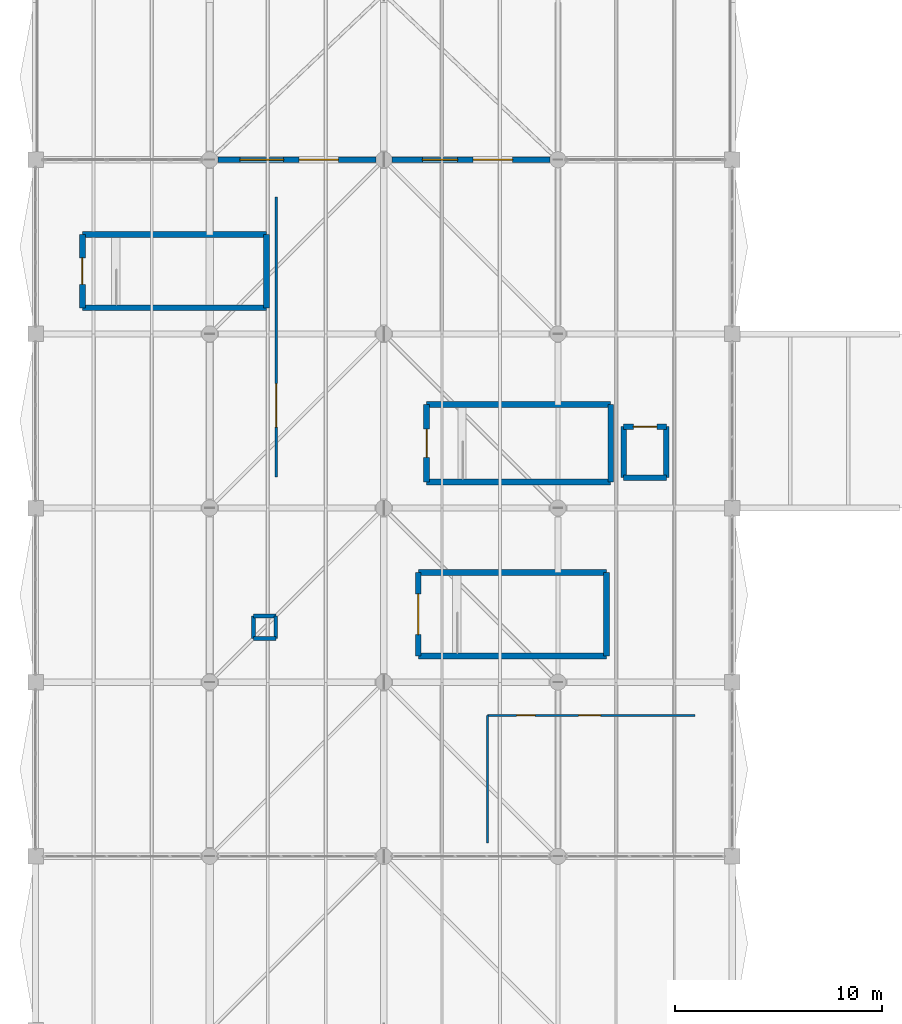
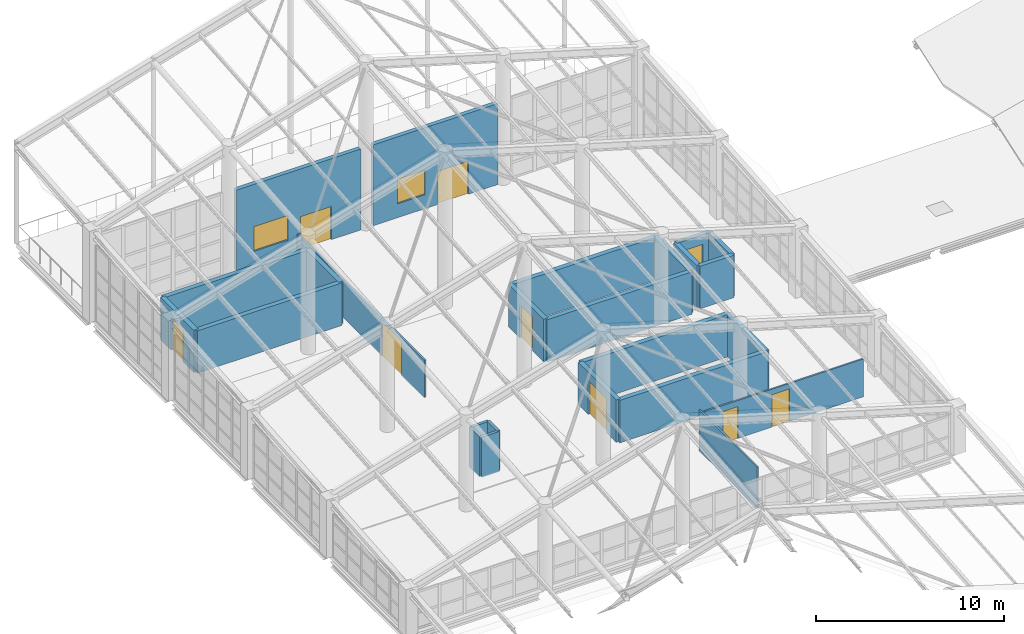
# One storey, part 82 of 95: 25 walls, 9 doors, 2 windows, 11 openings.
"""IFC4 building model written with IfcOpenShell, lengths in metres."""

from ifc_helpers import new_model, si_unit, direction, frame, frame_2d, origin, place, context, subcontext, project, spatial, rectangle, extrude, material, layer, layer_set, type_object, element, fill, save


model = new_model("IFC4")

# Units and contexts
model_context = context("Model", 3, precision=1e-05, world=origin(), true_north=direction((0.0, 1.0)))
body_context = subcontext(model_context, "Body", "Model", "MODEL_VIEW")
ifc_project = project(units=[si_unit("LENGTHUNIT", "METRE"), si_unit("AREAUNIT", "SQUARE_METRE"), si_unit("VOLUMEUNIT", "CUBIC_METRE"), si_unit("PLANEANGLEUNIT", "RADIAN"), si_unit("MASSUNIT", "GRAM", prefix="KILO"), si_unit("THERMODYNAMICTEMPERATUREUNIT", "KELVIN"), si_unit("POWERUNIT", "WATT")], contexts=[model_context])

# Site, building, storey
site_placement = place(None, origin())
site = spatial("IfcSite", under=ifc_project, at=site_placement, CompositionType="ELEMENT")
building_placement = place(site_placement, origin())
building = spatial("IfcBuilding", under=site, at=building_placement, Name="Mavoryth Pier Ferry Terminal", CompositionType="ELEMENT")
storey_placement = place(building_placement, frame((0.0, 0.0, 9.60009765625)))
storey = spatial("IfcBuildingStorey", under=building, at=storey_placement, Name="L02", CompositionType="ELEMENT", Elevation=9.60009765625)

# Walls
ifc_material_1 = material(Name="Concrete C35/45", Category="concrete")
ifc_layer_1 = layer(ifc_material_1, 0.260009765625, Name="Concrete C35/45", Category="concrete")
ifc_layer_set_1 = layer_set([ifc_layer_1], Name="Concrete C35/45 - CoreWall-LiftShaft-RC260")
wall_type_1 = type_object("IfcWallType", Name="CoreWall-LiftShaft-RC260", PredefinedType="SHEAR", material=ifc_layer_set_1)
wall_1_placement = place(storey_placement, frame((28.3701171875, 90.669921875, 0.0), z_axis=(0.0, 0.0, 1.0), x_axis=(1.0, 0.0, 0.0)))
element("IfcWall", 1, at=wall_1_placement, inside=storey, type_object=wall_type_1, Name="Interior Wall IW-L02-0045", PredefinedType="SHEAR", context=body_context, shape_type="SweptSolid", body=[
    extrude(rectangle(XDim=2.059814453125, YDim=0.260009765625, at=frame_2d((1.02978515625, 0.0))), origin(), (0.0, 0.0, 1.0), 2.75),
])
for number, where, z_axis, x_axis, name in (
    (2, (30.429931640625, 90.669921875, 0.0), (0.0, 0.0, 1.0), (0.0, 1.0, 0.0), "Interior Wall IW-L02-0046"),
    (3, (28.3701171875, 93.1298828125, 0.0), (0.0, 0.0, 1.0), (0.0, -1.0, 0.0), "Interior Wall IW-L02-0047"),
):
    element("IfcWall", number, at=place(storey_placement, frame(where, z_axis=z_axis, x_axis=x_axis)), inside=storey, type_object=wall_type_1, Name=name, PredefinedType="SHEAR", context=body_context, shape_type="SweptSolid", body=[
        extrude(rectangle(XDim=2.4599609375, YDim=0.260009765625, at=frame_2d((1.22998046875, 0.0))), origin(), (0.0, 0.0, 1.0), 2.75),
    ])

# Wall, opening, door
wall_2_placement = place(storey_placement, frame((28.3701171875, 93.1298828125, 0.0), z_axis=(0.0, 0.0, 1.0), x_axis=(1.0, 0.0, 0.0)))
wall_2 = element("IfcWall", 4, at=wall_2_placement, inside=storey, type_object=wall_type_1, Name="Interior Wall IW-L02-0048", PredefinedType="SHEAR", context=body_context, shape_type="SweptSolid", body=[
    extrude(rectangle(XDim=2.059814453125, YDim=0.260009765625, at=frame_2d((1.02978515625, 0.0))), origin(), (0.0, 0.0, 1.0), 2.75),
])
opening_1_placement = place(wall_2_placement, frame((0.4599609375, 0.0, 0.0)))
opening_1 = element("IfcOpeningElement", 5, at=opening_1_placement, cuts=wall_2, Name="Opening LD02", PredefinedType="OPENING", context=body_context, shape_type="SweptSolid", body=[
    extrude(rectangle(XDim=1.139892578125, YDim=2.139892578125, at=frame_2d((0.56982421875, 1.06982421875))), frame((0.0, 0.139892578125, 0.0), z_axis=(0.0, -1.0, 0.0), x_axis=(1.0, 0.0, 0.0)), (0.0, 0.0, 1.0), 0.280029296875),
])
ifc_material_2 = material(Name="Brushed Stainless Steel Lift Landing Door", Category="steel")
door_type_1 = type_object("IfcDoorType", Name="Door-LiftLanding-1140x2140", OperationType="NOTDEFINED", PredefinedType="DOOR", material=ifc_material_2)
door_1_placement = place(opening_1_placement, origin())
door_1 = element("IfcDoor", 6, at=door_1_placement, inside=storey, type_object=door_type_1, Name="Lift LF03 Landing Door L02", OperationType="DOUBLE_DOOR_SLIDING", OverallHeight=2.139892578125, OverallWidth=1.139892578125, PredefinedType="DOOR", context=body_context, shape_type="SweptSolid", body=[
    extrude(rectangle(XDim=1.139892578125, YDim=2.139892578125, at=frame_2d((0.56982421875, 1.06982421875))), frame((0.0, 0.02490234375, 0.0), z_axis=(0.0, -1.0, 0.0), x_axis=(1.0, 0.0, 0.0)), (0.0, 0.0, 1.0), 0.050048828125),
])
fill(opening_1, door_1)

# Walls
ifc_material_3 = material(Name="Concrete C40/50", Category="concrete")
ifc_layer_2 = layer(ifc_material_3, 0.280029296875, Name="Concrete C40/50", Category="concrete")
ifc_layer_set_2 = layer_set([ifc_layer_2], Name="Concrete C40/50 - CoreWall-Shear-RC280")
wall_type_2 = type_object("IfcWallType", Name="CoreWall-Shear-RC280", PredefinedType="SHEAR", material=ifc_layer_set_2)
for number, where, z_axis, x_axis, name in (
    (7, (18.860107421875, 90.4599609375, 0.0), (0.0, 0.0, 1.0), (1.0, 0.0, 0.0), "Interior Wall IW-L02-0033"),
    (8, (18.860107421875, 94.18994140625, 0.0), (0.0, 0.0, 1.0), (1.0, 0.0, 0.0), "Interior Wall IW-L02-0034"),
):
    element("IfcWall", number, at=place(storey_placement, frame(where, z_axis=z_axis, x_axis=x_axis)), inside=storey, type_object=wall_type_2, Name=name, PredefinedType="SHEAR", context=body_context, shape_type="SweptSolid", body=[
        extrude(rectangle(XDim=8.8798828125, YDim=0.280029296875, at=frame_2d((4.43994140625, 0.0))), origin(), (0.0, 0.0, 1.0), 2.75),
    ])

# Wall, opening, door
wall_3_placement = place(storey_placement, frame((18.860107421875, 94.18994140625, 0.0), z_axis=(0.0, 0.0, 1.0), x_axis=(0.0, -1.0, 0.0)))
wall_3 = element("IfcWall", 9, at=wall_3_placement, inside=storey, type_object=wall_type_2, Name="Interior Wall IW-L02-0035", PredefinedType="SHEAR", context=body_context, shape_type="SweptSolid", body=[
    extrude(rectangle(XDim=3.72998046875, YDim=0.280029296875, at=frame_2d((1.864990234375, 0.0))), origin(), (0.0, 0.0, 1.0), 2.75),
])
opening_2_placement = place(wall_3_placement, frame((1.18505859375, 0.0, 0.0)))
opening_2 = element("IfcOpeningElement", 10, at=opening_2_placement, cuts=wall_3, Name="Opening ID02-009", PredefinedType="OPENING", context=body_context, shape_type="SweptSolid", body=[
    extrude(rectangle(XDim=1.360107421875, YDim=2.14990234375, at=frame_2d((0.68017578125, 1.074951171875))), frame((0.0, 0.14990234375, 0.0), z_axis=(0.0, -1.0, 0.0), x_axis=(1.0, 0.0, 0.0)), (0.0, 0.0, 1.0), 0.300048828125),
])
ifc_material_4 = material(Name="Painted Galvanised Steel Fire Door", Category="steel")
door_type_2 = type_object("IfcDoorType", Name="Door-StairFire-1360x2150", OperationType="NOTDEFINED", PredefinedType="DOOR", material=ifc_material_4)
door_2_placement = place(opening_2_placement, origin())
door_2 = element("IfcDoor", 11, at=door_2_placement, inside=storey, type_object=door_type_2, Name="Core C1B Stair Exit Door L02", OperationType="SINGLE_SWING_LEFT", OverallHeight=2.14990234375, OverallWidth=1.360107421875, PredefinedType="DOOR", context=body_context, shape_type="SweptSolid", body=[
    extrude(rectangle(XDim=1.360107421875, YDim=2.14990234375, at=frame_2d((0.68017578125, 1.074951171875))), frame((0.0, 0.02490234375, 0.0), z_axis=(0.0, -1.0, 0.0), x_axis=(1.0, 0.0, 0.0)), (0.0, 0.0, 1.0), 0.050048828125),
])
fill(opening_2, door_2)

# Walls
wall_4_placement = place(storey_placement, frame((27.739990234375, 90.4599609375, 0.0), z_axis=(0.0, 0.0, 1.0), x_axis=(0.0, 1.0, 0.0)))
element("IfcWall", 12, at=wall_4_placement, inside=storey, type_object=wall_type_2, Name="Interior Wall IW-L02-0036", PredefinedType="SHEAR", context=body_context, shape_type="SweptSolid", body=[
    extrude(rectangle(XDim=3.72998046875, YDim=0.280029296875, at=frame_2d((1.864990234375, 0.0))), origin(), (0.0, 0.0, 1.0), 2.75),
])
for number, where, z_axis, x_axis, name in (
    (13, (2.260009765625, 98.860107421875, 0.0), (0.0, 0.0, 1.0), (1.0, 0.0, 0.0), "Interior Wall IW-L02-0057"),
    (14, (2.260009765625, 102.389892578125, 0.0), (0.0, 0.0, 1.0), (1.0, 0.0, 0.0), "Interior Wall IW-L02-0058"),
):
    element("IfcWall", number, at=place(storey_placement, frame(where, z_axis=z_axis, x_axis=x_axis)), inside=storey, type_object=wall_type_2, Name=name, PredefinedType="SHEAR", context=body_context, shape_type="SweptSolid", body=[
        extrude(rectangle(XDim=8.8798828125, YDim=0.280029296875, at=frame_2d((4.43994140625, 0.0))), origin(), (0.0, 0.0, 1.0), 2.75),
    ])

# Wall, opening, door
wall_5_placement = place(storey_placement, frame((2.260009765625, 102.389892578125, 0.0), z_axis=(0.0, 0.0, 1.0), x_axis=(0.0, -1.0, 0.0)))
wall_5 = element("IfcWall", 15, at=wall_5_placement, inside=storey, type_object=wall_type_2, Name="Interior Wall IW-L02-0059", PredefinedType="SHEAR", context=body_context, shape_type="SweptSolid", body=[
    extrude(rectangle(XDim=3.52978515625, YDim=0.280029296875, at=frame_2d((1.764892578125, 0.0))), origin(), (0.0, 0.0, 1.0), 2.75),
])
opening_3_placement = place(wall_5_placement, frame((1.125, 0.0, 0.0)))
opening_3 = element("IfcOpeningElement", 16, at=opening_3_placement, cuts=wall_5, Name="Opening ID03-015", PredefinedType="OPENING", context=body_context, shape_type="SweptSolid", body=[
    extrude(rectangle(XDim=1.280029296875, YDim=2.10009765625, at=frame_2d((0.64013671875, 1.050048828125))), frame((0.0, 0.14990234375, 0.0), z_axis=(0.0, -1.0, 0.0), x_axis=(1.0, 0.0, 0.0)), (0.0, 0.0, 1.0), 0.300048828125),
])
door_type_3 = type_object("IfcDoorType", Name="Door-StairFire-1280x2100", OperationType="NOTDEFINED", PredefinedType="DOOR", material=ifc_material_4)
door_3_placement = place(opening_3_placement, origin())
door_3 = element("IfcDoor", 17, at=door_3_placement, inside=storey, type_object=door_type_3, Name="Core C1C Stair Exit Door L02", OperationType="SINGLE_SWING_RIGHT", OverallHeight=2.10009765625, OverallWidth=1.280029296875, PredefinedType="DOOR", context=body_context, shape_type="SweptSolid", body=[
    extrude(rectangle(XDim=1.280029296875, YDim=2.10009765625, at=frame_2d((0.64013671875, 1.050048828125))), frame((0.0, 0.02490234375, 0.0), z_axis=(0.0, -1.0, 0.0), x_axis=(1.0, 0.0, 0.0)), (0.0, 0.0, 1.0), 0.050048828125),
])
fill(opening_3, door_3)

# Walls
wall_6_placement = place(storey_placement, frame((11.139892578125, 98.860107421875, 0.0), z_axis=(0.0, 0.0, 1.0), x_axis=(0.0, 1.0, 0.0)))
element("IfcWall", 18, at=wall_6_placement, inside=storey, type_object=wall_type_2, Name="Interior Wall IW-L02-0060", PredefinedType="SHEAR", context=body_context, shape_type="SweptSolid", body=[
    extrude(rectangle(XDim=3.52978515625, YDim=0.280029296875, at=frame_2d((1.764892578125, 0.0))), origin(), (0.0, 0.0, 1.0), 2.75),
])
for number, where, z_axis, x_axis, name in (
    (19, (18.4599609375, 82.06005859375, 0.0), (0.0, 0.0, 1.0), (1.0, 0.0, 0.0), "Interior Wall IW-L02-0301"),
    (20, (18.4599609375, 86.090087890625, 0.0), (0.0, 0.0, 1.0), (1.0, 0.0, 0.0), "Interior Wall IW-L02-0302"),
):
    element("IfcWall", number, at=place(storey_placement, frame(where, z_axis=z_axis, x_axis=x_axis)), inside=storey, type_object=wall_type_2, Name=name, PredefinedType="SHEAR", context=body_context, shape_type="SweptSolid", body=[
        extrude(rectangle(XDim=9.080078125, YDim=0.280029296875, at=frame_2d((4.5400390625, 0.0))), origin(), (0.0, 0.0, 1.0), 2.75),
    ])

# Wall, opening, door
wall_7_placement = place(storey_placement, frame((18.4599609375, 86.090087890625, 0.0), z_axis=(0.0, 0.0, 1.0), x_axis=(0.0, -1.0, 0.0)))
wall_7 = element("IfcWall", 21, at=wall_7_placement, inside=storey, type_object=wall_type_2, Name="Interior Wall IW-L02-0303", PredefinedType="SHEAR", context=body_context, shape_type="SweptSolid", body=[
    extrude(rectangle(XDim=4.030029296875, YDim=0.280029296875, at=frame_2d((2.01513671875, 0.0))), origin(), (0.0, 0.0, 1.0), 2.75),
])
opening_4_placement = place(wall_7_placement, frame((1.034912109375, 0.0, 0.0)))
opening_4 = element("IfcOpeningElement", 22, at=opening_4_placement, cuts=wall_7, Name="Opening ID07-076", PredefinedType="OPENING", context=body_context, shape_type="SweptSolid", body=[
    extrude(rectangle(XDim=1.9599609375, YDim=2.219970703125, at=frame_2d((0.97998046875, 1.10986328125))), frame((0.0, 0.14990234375, 0.0), z_axis=(0.0, -1.0, 0.0), x_axis=(1.0, 0.0, 0.0)), (0.0, 0.0, 1.0), 0.300048828125),
])
ifc_material_5 = material(Name="Fire-Resisting Anodised Aluminium Glazed Door", Category="aluminium")
door_type_4 = type_object("IfcDoorType", Name="Door-ConcourseSlide-1960x2220", OperationType="NOTDEFINED", PredefinedType="DOOR", material=ifc_material_5)
door_4_placement = place(opening_4_placement, origin())
door_4 = element("IfcDoor", 23, at=door_4_placement, inside=storey, type_object=door_type_4, Name="Feature Stair FS2 Concourse Door L02", OperationType="DOUBLE_DOOR_SLIDING", OverallHeight=2.219970703125, OverallWidth=1.9599609375, PredefinedType="DOOR", context=body_context, shape_type="SweptSolid", body=[
    extrude(rectangle(XDim=1.9599609375, YDim=2.219970703125, at=frame_2d((0.97998046875, 1.10986328125))), frame((0.0, 0.02490234375, 0.0), z_axis=(0.0, -1.0, 0.0), x_axis=(1.0, 0.0, 0.0)), (0.0, 0.0, 1.0), 0.050048828125),
])
fill(opening_4, door_4)

# Wall
wall_8_placement = place(storey_placement, frame((27.5400390625, 82.06005859375, 0.0), z_axis=(0.0, 0.0, 1.0), x_axis=(0.0, 1.0, 0.0)))
element("IfcWall", 24, at=wall_8_placement, inside=storey, type_object=wall_type_2, Name="Interior Wall IW-L02-0304", PredefinedType="SHEAR", context=body_context, shape_type="SweptSolid", body=[
    extrude(rectangle(XDim=4.030029296875, YDim=0.280029296875, at=frame_2d((2.01513671875, 0.0))), origin(), (0.0, 0.0, 1.0), 2.75),
])

# Wall, openings, door, window
ifc_material_6 = material(Name="Insulated Pentelic Limestone-Faced Masonry", Category="masonry")
ifc_layer_3 = layer(ifc_material_6, 0.25, Name="Insulated Pentelic Limestone-Faced Masonry", Category="masonry")
ifc_layer_set_3 = layer_set([ifc_layer_3], Name="Insulated Pentelic Limestone-Faced Masonry - ExtWall-Facade-Masonry250")
wall_type_3 = type_object("IfcWallType", Name="ExtWall-Facade-Masonry250", PredefinedType="SOLIDWALL", material=ifc_layer_set_3)
wall_9_placement = place(storey_placement, frame((16.409912109375, 106.0, 0.0), z_axis=(0.0, 0.0, 1.0), x_axis=(-1.0, 0.0, 0.0)))
wall_9 = element("IfcWall", 25, at=wall_9_placement, inside=storey, type_object=wall_type_3, Name="Exterior Wall EW-L02-015", PredefinedType="SOLIDWALL", context=body_context, shape_type="SweptSolid", body=[
    extrude(rectangle(XDim=7.619873046875, YDim=0.25, at=frame_2d((3.81005859375, 0.0))), origin(), (0.0, 0.0, 1.0), 5.2431640625),
])
opening_5_placement = place(wall_9_placement, frame((1.800048828125, 0.0, 0.0)))
opening_5 = element("IfcOpeningElement", 26, at=opening_5_placement, cuts=wall_9, Name="Opening ED06-009", PredefinedType="OPENING", context=body_context, shape_type="SweptSolid", body=[
    extrude(rectangle(XDim=1.89990234375, YDim=2.14990234375, at=frame_2d((0.949951171875, 1.074951171875))), frame((0.0, 0.135009765625, 0.0), z_axis=(0.0, -1.0, 0.0), x_axis=(1.0, 0.0, 0.0)), (0.0, 0.0, 1.0), 0.27001953125),
])
opening_6_placement = place(wall_9_placement, frame((4.449951171875, 0.0, 0.89990234375)))
opening_6 = element("IfcOpeningElement", 27, at=opening_6_placement, cuts=wall_9, Name="Opening WN07", PredefinedType="OPENING", context=body_context, shape_type="SweptSolid", body=[
    extrude(rectangle(XDim=2.10009765625, YDim=1.60009765625, at=frame_2d((1.050048828125, 0.800048828125))), frame((0.0, 0.135009765625, 0.0), z_axis=(0.0, -1.0, 0.0), x_axis=(1.0, 0.0, 0.0)), (0.0, 0.0, 1.0), 0.27001953125),
])
ifc_material_7 = material(Name="Thermally Broken Anodised Aluminium and Laminated Glass", Category="aluminium")
door_type_5 = type_object("IfcDoorType", Name="ExtDoor-Terrace-1900x2150", OperationType="NOTDEFINED", PredefinedType="DOOR", material=ifc_material_7)
door_5_placement = place(opening_5_placement, origin())
door_5 = element("IfcDoor", 28, at=door_5_placement, inside=storey, type_object=door_type_5, Name="Exterior Pedestrian Exit Door ED06-009", OperationType="DOUBLE_DOOR_SINGLE_SWING", OverallHeight=2.14990234375, OverallWidth=1.89990234375, PredefinedType="DOOR", context=body_context, shape_type="SweptSolid", body=[
    extrude(rectangle(XDim=1.89990234375, YDim=2.14990234375, at=frame_2d((0.949951171875, 1.074951171875))), frame((0.0, 0.02490234375, 0.0), z_axis=(0.0, -1.0, 0.0), x_axis=(1.0, 0.0, 0.0)), (0.0, 0.0, 1.0), 0.050048828125),
])
fill(opening_5, door_5)
ifc_material_8 = material(Name="Thermally Broken Aluminium and Low-E Double Glazing", Category="aluminium")
window_type_1 = type_object("IfcWindowType", Name="Win-Harbour-2100x1600", PartitioningType="DOUBLE_PANEL_VERTICAL", PredefinedType="WINDOW", material=ifc_material_8)
window_1_placement = place(opening_6_placement, origin())
window_1 = element("IfcWindow", 29, at=window_1_placement, inside=storey, type_object=window_type_1, Name="Exterior Window 5", OverallHeight=1.60009765625, OverallWidth=2.10009765625, PartitioningType="DOUBLE_PANEL_VERTICAL", PredefinedType="WINDOW", context=body_context, shape_type="SweptSolid", body=[
    extrude(rectangle(XDim=2.10009765625, YDim=1.60009765625, at=frame_2d((1.050048828125, 0.800048828125))), frame((0.0, 0.030029296875, 0.0), z_axis=(0.0, -1.0, 0.0), x_axis=(1.0, 0.0, 0.0)), (0.0, 0.0, 1.0), 0.06005859375),
])
fill(opening_6, window_1)

wall_10_placement = place(storey_placement, frame((24.81005859375, 106.0, 0.0), z_axis=(0.0, 0.0, 1.0), x_axis=(-1.0, 0.0, 0.0)))
wall_10 = element("IfcWall", 30, at=wall_10_placement, inside=storey, type_object=wall_type_3, Name="Exterior Wall EW-L02-016", PredefinedType="SOLIDWALL", context=body_context, shape_type="SweptSolid", body=[
    extrude(rectangle(XDim=7.6201171875, YDim=0.25, at=frame_2d((3.81005859375, 0.0))), origin(), (0.0, 0.0, 1.0), 5.2431640625),
])
opening_7_placement = place(wall_10_placement, frame((1.800048828125, 0.0, 0.0)))
opening_7 = element("IfcOpeningElement", 31, at=opening_7_placement, cuts=wall_10, Name="Opening ED06-010", PredefinedType="OPENING", context=body_context, shape_type="SweptSolid", body=[
    extrude(rectangle(XDim=1.89990234375, YDim=2.14990234375, at=frame_2d((0.949951171875, 1.074951171875))), frame((0.0, 0.135009765625, 0.0), z_axis=(0.0, -1.0, 0.0), x_axis=(1.0, 0.0, 0.0)), (0.0, 0.0, 1.0), 0.27001953125),
])
opening_8_placement = place(wall_10_placement, frame((4.449951171875, 0.0, 0.89990234375)))
opening_8 = element("IfcOpeningElement", 32, at=opening_8_placement, cuts=wall_10, Name="Opening WN08", PredefinedType="OPENING", context=body_context, shape_type="SweptSolid", body=[
    extrude(rectangle(XDim=1.699951171875, YDim=1.60009765625, at=frame_2d((0.85009765625, 0.800048828125))), frame((0.0, 0.135009765625, 0.0), z_axis=(0.0, -1.0, 0.0), x_axis=(1.0, 0.0, 0.0)), (0.0, 0.0, 1.0), 0.27001953125),
])
door_6_placement = place(opening_7_placement, origin())
door_6 = element("IfcDoor", 33, at=door_6_placement, inside=storey, type_object=door_type_5, Name="Exterior Pedestrian Exit Door ED06-010", OperationType="DOUBLE_DOOR_SINGLE_SWING", OverallHeight=2.14990234375, OverallWidth=1.89990234375, PredefinedType="DOOR", context=body_context, shape_type="SweptSolid", body=[
    extrude(rectangle(XDim=1.89990234375, YDim=2.14990234375, at=frame_2d((0.949951171875, 1.074951171875))), frame((0.0, 0.02490234375, 0.0), z_axis=(0.0, -1.0, 0.0), x_axis=(1.0, 0.0, 0.0)), (0.0, 0.0, 1.0), 0.050048828125),
])
fill(opening_7, door_6)
window_type_2 = type_object("IfcWindowType", Name="Win-Harbour-1700x1600", PartitioningType="DOUBLE_PANEL_VERTICAL", PredefinedType="WINDOW", material=ifc_material_8)
window_2_placement = place(opening_8_placement, origin())
window_2 = element("IfcWindow", 34, at=window_2_placement, inside=storey, type_object=window_type_2, Name="Exterior Window 6", OverallHeight=1.60009765625, OverallWidth=1.699951171875, PartitioningType="DOUBLE_PANEL_VERTICAL", PredefinedType="WINDOW", context=body_context, shape_type="SweptSolid", body=[
    extrude(rectangle(XDim=1.699951171875, YDim=1.60009765625, at=frame_2d((0.85009765625, 0.800048828125))), frame((0.0, 0.030029296875, 0.0), z_axis=(0.0, -1.0, 0.0), x_axis=(1.0, 0.0, 0.0)), (0.0, 0.0, 1.0), 0.06005859375),
])
fill(opening_8, window_2)

# Walls
ifc_material_9 = material(Name="Autoclaved Aerated Concrete Blockwork", Category="masonry")
ifc_layer_4 = layer(ifc_material_9, 0.179931640625, Name="Autoclaved Aerated Concrete Blockwork", Category="masonry")
ifc_layer_set_4 = layer_set([ifc_layer_4], Name="Autoclaved Aerated Concrete Blockwork - IntWall-PlantRated-180")
wall_type_4 = type_object("IfcWallType", Name="IntWall-PlantRated-180", PredefinedType="SOLIDWALL", material=ifc_layer_set_4)
for number, where, z_axis, x_axis, name in (
    (35, (10.510009765625, 82.909912109375, 0.0), (0.0, 0.0, 1.0), (1.0, 0.0, 0.0), "Interior Wall IW-L02-0373"),
    (36, (11.590087890625, 82.909912109375, 0.0), (0.0, 0.0, 1.0), (0.0, 1.0, 0.0), "Interior Wall IW-L02-0374"),
    (37, (11.590087890625, 83.989990234375, 0.0), (0.0, 0.0, 1.0), (-1.0, 0.0, 0.0), "Interior Wall IW-L02-0375"),
    (38, (10.510009765625, 83.989990234375, 0.0), (0.0, 0.0, 1.0), (0.0, -1.0, 0.0), "Interior Wall IW-L02-0376"),
):
    element("IfcWall", number, at=place(storey_placement, frame(where, z_axis=z_axis, x_axis=x_axis)), inside=storey, type_object=wall_type_4, Name=name, PredefinedType="SOLIDWALL", context=body_context, shape_type="SweptSolid", body=[
        extrude(rectangle(XDim=1.080078125, YDim=0.179931640625, at=frame_2d((0.5400390625, 0.0))), origin(), (0.0, 0.0, 1.0), 2.599853515625),
    ])

# Wall, opening, door
ifc_material_10 = material(Name="Metal-Stud Gypsum Partition")
ifc_layer_5 = layer(ifc_material_10, 0.1201171875, Name="Metal-Stud Gypsum Partition")
ifc_layer_set_5 = layer_set([ifc_layer_5], Name="Metal-Stud Gypsum Partition - Part-Standard-120")
wall_type_5 = type_object("IfcWallType", Name="Part-Standard-120", PredefinedType="PARTITIONING", material=ifc_layer_set_5)
wall_11_placement = place(storey_placement, frame((11.60009765625, 90.699951171875, 0.0), z_axis=(0.0, 0.0, 1.0), x_axis=(0.0, 1.0, 0.0)))
wall_11 = element("IfcWall", 39, at=wall_11_placement, inside=storey, type_object=wall_type_5, Name="Interior Wall IW-L02-0422", PredefinedType="PARTITIONING", context=body_context, shape_type="SweptSolid", body=[
    extrude(rectangle(XDim=13.5, YDim=0.1201171875, at=frame_2d((6.75, 0.0))), origin(), (0.0, 0.0, 1.0), 2.449951171875),
])
opening_9_placement = place(wall_11_placement, frame((2.39990234375, 0.0, 0.0)))
opening_9 = element("IfcOpeningElement", 40, at=opening_9_placement, cuts=wall_11, Name="Opening ID06-089", PredefinedType="OPENING", context=body_context, shape_type="SweptSolid", body=[
    extrude(rectangle(XDim=2.10009765625, YDim=2.219970703125, at=frame_2d((1.050048828125, 1.10986328125))), frame((0.0, 0.070068359375, 0.0), z_axis=(0.0, -1.0, 0.0), x_axis=(1.0, 0.0, 0.0)), (0.0, 0.0, 1.0), 0.14013671875),
])
door_type_6 = type_object("IfcDoorType", Name="Door-ConcourseSlide-2100x2220", OperationType="NOTDEFINED", PredefinedType="DOOR", material=ifc_material_5)
door_7_placement = place(opening_9_placement, origin())
door_7 = element("IfcDoor", 41, at=door_7_placement, inside=storey, type_object=door_type_6, Name="Interior Door ID06-089", OperationType="DOUBLE_DOOR_SLIDING", OverallHeight=2.219970703125, OverallWidth=2.10009765625, PredefinedType="DOOR", context=body_context, shape_type="SweptSolid", body=[
    extrude(rectangle(XDim=2.10009765625, YDim=2.219970703125, at=frame_2d((1.050048828125, 1.10986328125))), frame((0.0, 0.02490234375, 0.0), z_axis=(0.0, -1.0, 0.0), x_axis=(1.0, 0.0, 0.0)), (0.0, 0.0, 1.0), 0.050048828125),
])
fill(opening_9, door_7)

# Wall, openings, doors
ifc_material_11 = material(Name="Moisture-Resistant Cement-Board Partition")
ifc_layer_6 = layer(ifc_material_11, 0.10009765625, Name="Moisture-Resistant Cement-Board Partition")
ifc_layer_set_6 = layer_set([ifc_layer_6], Name="Moisture-Resistant Cement-Board Partition - Part-WetArea-100")
wall_type_6 = type_object("IfcWallType", Name="Part-WetArea-100", PredefinedType="PARTITIONING", material=ifc_layer_set_6)
wall_12_placement = place(storey_placement, frame((21.800048828125, 79.199951171875, 0.0), z_axis=(0.0, 0.0, 1.0), x_axis=(1.0, 0.0, 0.0)))
wall_12 = element("IfcWall", 42, at=wall_12_placement, inside=storey, type_object=wall_type_6, Name="Interior Wall IW-L02-0423", PredefinedType="PARTITIONING", context=body_context, shape_type="SweptSolid", body=[
    extrude(rectangle(XDim=10.0, YDim=0.10009765625, at=frame_2d((5.0, 0.0))), origin(), (0.0, 0.0, 1.0), 2.449951171875),
])
opening_10_placement = place(wall_12_placement, frame((1.39990234375, 0.0, 0.0)))
opening_10 = element("IfcOpeningElement", 43, at=opening_10_placement, cuts=wall_12, Name="Opening ID12-090", PredefinedType="OPENING", context=body_context, shape_type="SweptSolid", body=[
    extrude(rectangle(XDim=0.89990234375, YDim=2.06005859375, at=frame_2d((0.449951171875, 1.030029296875))), frame((0.0, 0.06005859375, 0.0), z_axis=(0.0, -1.0, 0.0), x_axis=(1.0, 0.0, 0.0)), (0.0, 0.0, 1.0), 0.1201171875),
])
opening_11_placement = place(wall_12_placement, frame((4.39990234375, 0.0, 0.0)))
opening_11 = element("IfcOpeningElement", 44, at=opening_11_placement, cuts=wall_12, Name="Opening ID11-091", PredefinedType="OPENING", context=body_context, shape_type="SweptSolid", body=[
    extrude(rectangle(XDim=1.06005859375, YDim=2.10009765625, at=frame_2d((0.530029296875, 1.050048828125))), frame((0.0, 0.06005859375, 0.0), z_axis=(0.0, -1.0, 0.0), x_axis=(1.0, 0.0, 0.0)), (0.0, 0.0, 1.0), 0.1201171875),
])
ifc_material_12 = material(Name="High-Pressure Laminate Accessible Door")
door_type_7 = type_object("IfcDoorType", Name="Door-AccessibleWC-1060x2100", OperationType="NOTDEFINED", PredefinedType="DOOR", material=ifc_material_12)
door_8_placement = place(opening_11_placement, origin())
door_8 = element("IfcDoor", 45, at=door_8_placement, inside=storey, type_object=door_type_7, Name="L02 Accessible WC Door", OperationType="SINGLE_SWING_LEFT", OverallHeight=2.10009765625, OverallWidth=1.06005859375, PredefinedType="DOOR", context=body_context, shape_type="SweptSolid", body=[
    extrude(rectangle(XDim=1.06005859375, YDim=2.10009765625, at=frame_2d((0.530029296875, 1.050048828125))), frame((0.0, 0.02490234375, 0.0), z_axis=(0.0, -1.0, 0.0), x_axis=(1.0, 0.0, 0.0)), (0.0, 0.0, 1.0), 0.050048828125),
])
fill(opening_11, door_8)
ifc_material_13 = material(Name="High-Pressure Laminate Moisture Door")
door_type_8 = type_object("IfcDoorType", Name="Door-Toilet-900x2060", OperationType="NOTDEFINED", PredefinedType="DOOR", material=ifc_material_13)
door_9_placement = place(opening_10_placement, origin())
door_9 = element("IfcDoor", 46, at=door_9_placement, inside=storey, type_object=door_type_8, Name="L02 Lounge WC Door", OperationType="SINGLE_SWING_RIGHT", OverallHeight=2.06005859375, OverallWidth=0.89990234375, PredefinedType="DOOR", context=body_context, shape_type="SweptSolid", body=[
    extrude(rectangle(XDim=0.89990234375, YDim=2.06005859375, at=frame_2d((0.449951171875, 1.030029296875))), frame((0.0, 0.02490234375, 0.0), z_axis=(0.0, -1.0, 0.0), x_axis=(1.0, 0.0, 0.0)), (0.0, 0.0, 1.0), 0.050048828125),
])
fill(opening_10, door_9)

# Wall
wall_13_placement = place(storey_placement, frame((21.800048828125, 73.050048828125, 0.0), z_axis=(0.0, 0.0, 1.0), x_axis=(0.0, 1.0, 0.0)))
element("IfcWall", 47, at=wall_13_placement, inside=storey, type_object=wall_type_6, Name="Interior Wall IW-L02-0517", PredefinedType="PARTITIONING", context=body_context, shape_type="SweptSolid", body=[
    extrude(rectangle(XDim=6.14990234375, YDim=0.10009765625, at=frame_2d((3.074951171875, 0.0))), origin(), (0.0, 0.0, 1.0), 2.64990234375),
])

save(model, "model.ifc")
